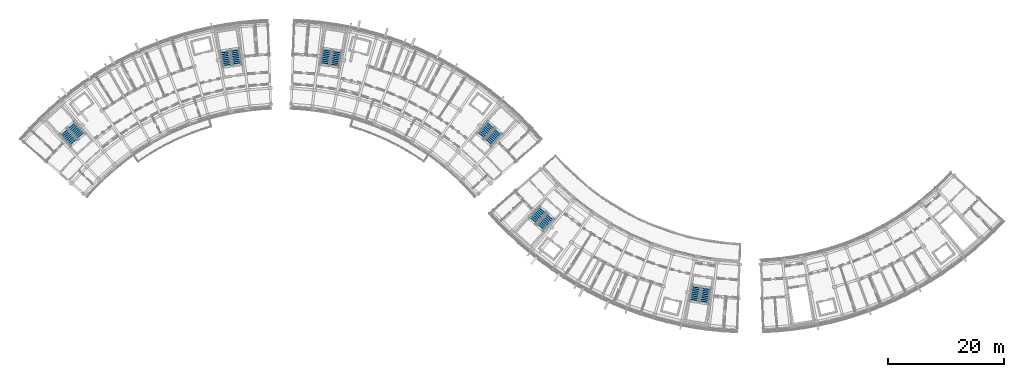
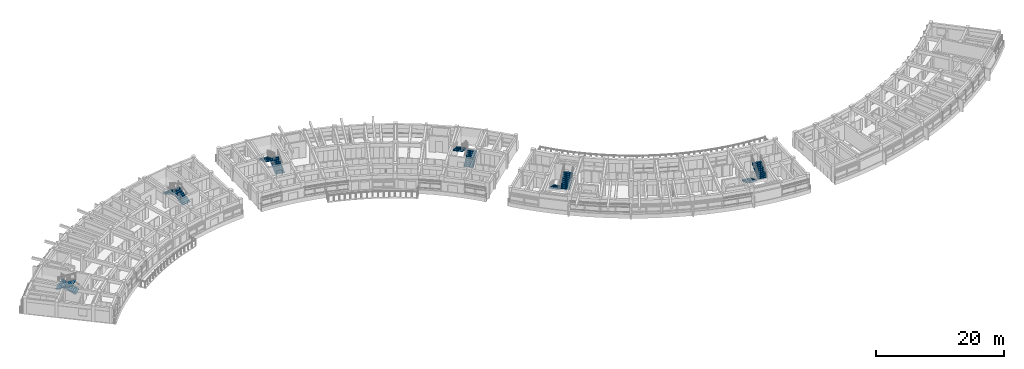
# One storey, part 40 of 54: 12 stair flights, 6 elements without a shape of their own.
"""IFC4 building model written with IfcOpenShell, lengths in metres."""

from ifc_helpers import new_model, si_unit, direction, frame, origin, place, context, subcontext, project, spatial, polyline, outline, extrude, material, type_object, element, aggregate, save


model = new_model("IFC4")

# Units and contexts
model_context = context("Model", 3, precision=1e-05, world=origin(), true_north=direction((0.0, 1.0)))
body_context = subcontext(model_context, "Body", "Model", "MODEL_VIEW")
ifc_project = project(units=[si_unit("LENGTHUNIT", "METRE"), si_unit("AREAUNIT", "SQUARE_METRE"), si_unit("VOLUMEUNIT", "CUBIC_METRE"), si_unit("PLANEANGLEUNIT", "RADIAN"), si_unit("MASSUNIT", "GRAM", prefix="KILO")], contexts=[model_context])

# Site, building, storey
site_placement = place(None, origin())
site = spatial("IfcSite", under=ifc_project, at=site_placement, CompositionType="ELEMENT")
building_placement = place(site_placement, origin())
building = spatial("IfcBuilding", under=site, at=building_placement, Name="Zimvara Arc Housing Community", CompositionType="ELEMENT")
storey_placement = place(building_placement, frame((0.0, 0.0, 23.60009765625)))
storey = spatial("IfcBuildingStorey", under=building, at=storey_placement, Name="L07", CompositionType="ELEMENT", Elevation=23.60009765625)

# Stair, stair flights
ifc_material_1 = material(Name="Concrete C35/45", Category="concrete")
stair_type_1 = type_object("IfcStairType", Name="STR-DL-310-310", PredefinedType="HALF_TURN_STAIR", material=ifc_material_1)
stair_1_placement = place(storey_placement, origin())
stair_1 = element("IfcStair", 1, at=stair_1_placement, inside=storey, type_object=stair_type_1, Name="L07 Block C Exit Stair 2", PredefinedType="HALF_TURN_STAIR")
ifc_material_2 = material(Name="Concrete C35/45", Category="concrete")
stair_flight_type_1 = type_object("IfcStairFlightType", Name="STF-DL-310-310", PredefinedType="STRAIGHT", material=ifc_material_2)
stair_flight_1_placement = place(storey_placement, frame((116.7353515625, 58.27490234375, 0.0), z_axis=(0.0, 0.0, 1.0), x_axis=(-0.160225753504, -0.987080395872, 0.0)))
stair_flight_1 = element("IfcStairFlight", 2, at=stair_flight_1_placement, type_object=stair_flight_type_1, Name="ST-C2 flight 1", NumberOfRisers=10, NumberOfTreads=9, PredefinedType="STRAIGHT", RiserHeight=0.155, TreadLength=0.31, context=body_context, shape_type="SweptSolid", body=[
    extrude(outline(polyline([(0.0, 0.0), (0.0, 0.155029296875), (0.31005859375, 0.155029296875), (0.31005859375, 0.31005859375), (0.6201171875, 0.31005859375), (0.6201171875, 0.465087890625), (0.929931640625, 0.465087890625), (0.929931640625, 0.6201171875), (1.239990234375, 0.6201171875), (1.239990234375, 0.77490234375), (1.550048828125, 0.77490234375), (1.550048828125, 0.929931640625), (1.860107421875, 0.929931640625), (1.860107421875, 1.0849609375), (2.169921875, 1.0849609375), (2.169921875, 1.239990234375), (2.47998046875, 1.239990234375), (2.47998046875, 1.39501953125), (2.7900390625, 1.39501953125), (2.7900390625, 1.550048828125), (2.7900390625, 1.227294921875), (0.335205078125, 0.0), (0.0, 0.0)])), frame((0.0, 0.780029296875, 0.0), z_axis=(0.0, -1.0, 0.0), x_axis=(1.0, 0.0, 0.0)), (0.0, 0.0, 1.0), 1.56005859375),
])
stair_flight_2_placement = place(storey_placement, frame((117.986083984375, 55.2451171875, 1.5498046875), z_axis=(0.0, 0.0, 1.0), x_axis=(0.160225753504, 0.987080395872, 0.0)))
stair_flight_2 = element("IfcStairFlight", 3, at=stair_flight_2_placement, type_object=stair_flight_type_1, Name="ST-C2 flight 2", NumberOfRisers=10, NumberOfTreads=9, PredefinedType="STRAIGHT", RiserHeight=0.155, TreadLength=0.31, context=body_context, shape_type="SweptSolid", body=[
    extrude(outline(polyline([(0.0, 0.0), (0.0, 0.155029296875), (0.31005859375, 0.155029296875), (0.31005859375, 0.31005859375), (0.6201171875, 0.31005859375), (0.6201171875, 0.465087890625), (0.929931640625, 0.465087890625), (0.929931640625, 0.6201171875), (1.239990234375, 0.6201171875), (1.239990234375, 0.77490234375), (1.550048828125, 0.77490234375), (1.550048828125, 0.929931640625), (1.860107421875, 0.929931640625), (1.860107421875, 1.0849609375), (2.169921875, 1.0849609375), (2.169921875, 1.239990234375), (2.47998046875, 1.239990234375), (2.47998046875, 1.39501953125), (2.7900390625, 1.39501953125), (2.7900390625, 1.550048828125), (2.7900390625, 1.227294921875), (0.335205078125, 0.0), (0.0, 0.0)])), frame((0.0, 0.780029296875, 0.0), z_axis=(0.0, -1.0, 0.0), x_axis=(1.0, 0.0, 0.0)), (0.0, 0.0, 1.0), 1.56005859375),
])
aggregate(stair_1, [stair_flight_1, stair_flight_2])

ifc_material_3 = material(Name="Concrete C35/45", Category="concrete")
stair_type_2 = type_object("IfcStairType", Name="STR-DL-312-310", PredefinedType="HALF_TURN_STAIR", material=ifc_material_3)
stair_2_placement = place(storey_placement, origin())
stair_2 = element("IfcStair", 4, at=stair_2_placement, inside=storey, type_object=stair_type_2, Name="L07 Block A Exit Stair 1", PredefinedType="HALF_TURN_STAIR")
ifc_material_4 = material(Name="Concrete C35/45", Category="concrete")
stair_flight_type_2 = type_object("IfcStairFlightType", Name="STF-DL-312-310", PredefinedType="STRAIGHT", material=ifc_material_4)
stair_flight_3_placement = place(storey_placement, frame((10.590576171875, 84.0283203125, 0.0), z_axis=(0.0, 0.0, 1.0), x_axis=(-0.668871159118, 0.743378350842, 0.0)))
stair_flight_3 = element("IfcStairFlight", 5, at=stair_flight_3_placement, type_object=stair_flight_type_2, Name="ST-A1 flight 1", NumberOfRisers=10, NumberOfTreads=9, PredefinedType="STRAIGHT", RiserHeight=0.155, TreadLength=0.312, context=body_context, shape_type="SweptSolid", body=[
    extrude(outline(polyline([(0.0, 0.0), (0.0, 0.155029296875), (0.31201171875, 0.155029296875), (0.31201171875, 0.31005859375), (0.6240234375, 0.31005859375), (0.6240234375, 0.465087890625), (0.93603515625, 0.465087890625), (0.93603515625, 0.6201171875), (1.248046875, 0.6201171875), (1.248046875, 0.77490234375), (1.56005859375, 0.77490234375), (1.56005859375, 0.929931640625), (1.8720703125, 0.929931640625), (1.8720703125, 1.0849609375), (2.18408203125, 1.0849609375), (2.18408203125, 1.239990234375), (2.49609375, 1.239990234375), (2.49609375, 1.39501953125), (2.80810546875, 1.39501953125), (2.80810546875, 1.550048828125), (2.80810546875, 1.2275390625), (0.3369140625, 0.0), (0.0, 0.0)])), frame((0.0, 0.780029296875, 0.0), z_axis=(0.0, -1.0, 0.0), x_axis=(1.0, 0.0, 0.0)), (0.0, 0.0, 1.0), 1.56005859375),
])
stair_flight_4_placement = place(storey_placement, frame((7.43359375, 84.965087890625, 1.5498046875), z_axis=(0.0, 0.0, 1.0), x_axis=(0.668871159118, -0.743378350842, 0.0)))
stair_flight_4 = element("IfcStairFlight", 6, at=stair_flight_4_placement, type_object=stair_flight_type_2, Name="ST-A1 flight 2", NumberOfRisers=10, NumberOfTreads=9, PredefinedType="STRAIGHT", RiserHeight=0.155, TreadLength=0.312, context=body_context, shape_type="SweptSolid", body=[
    extrude(outline(polyline([(0.0, 0.0), (0.0, 0.155029296875), (0.31201171875, 0.155029296875), (0.31201171875, 0.31005859375), (0.6240234375, 0.31005859375), (0.6240234375, 0.465087890625), (0.93603515625, 0.465087890625), (0.93603515625, 0.6201171875), (1.248046875, 0.6201171875), (1.248046875, 0.77490234375), (1.56005859375, 0.77490234375), (1.56005859375, 0.929931640625), (1.8720703125, 0.929931640625), (1.8720703125, 1.0849609375), (2.18408203125, 1.0849609375), (2.18408203125, 1.239990234375), (2.49609375, 1.239990234375), (2.49609375, 1.39501953125), (2.80810546875, 1.39501953125), (2.80810546875, 1.550048828125), (2.80810546875, 1.2275390625), (0.3369140625, 0.0), (0.0, 0.0)])), frame((0.0, 0.780029296875, 0.0), z_axis=(0.0, -1.0, 0.0), x_axis=(1.0, 0.0, 0.0)), (0.0, 0.0, 1.0), 1.56005859375),
])
aggregate(stair_2, [stair_flight_3, stair_flight_4])

ifc_material_5 = material(Name="Concrete C35/45", Category="concrete")
stair_type_3 = type_object("IfcStairType", Name="STR-DL-315-310", PredefinedType="HALF_TURN_STAIR", material=ifc_material_5)
stair_3_placement = place(storey_placement, origin())
stair_3 = element("IfcStair", 7, at=stair_3_placement, inside=storey, type_object=stair_type_3, Name="L07 Block A Exit Stair 2", PredefinedType="HALF_TURN_STAIR")
ifc_material_6 = material(Name="Concrete C35/45", Category="concrete")
stair_flight_type_3 = type_object("IfcStairFlightType", Name="STF-DL-315-310", PredefinedType="STRAIGHT", material=ifc_material_6)
stair_flight_5_placement = place(storey_placement, frame((37.453125, 96.36083984375, 0.0), z_axis=(0.0, 0.0, 1.0), x_axis=(-0.160225753504, 0.987080395872, 0.0)))
stair_flight_5 = element("IfcStairFlight", 8, at=stair_flight_5_placement, type_object=stair_flight_type_3, Name="ST-A2 flight 1", NumberOfRisers=10, NumberOfTreads=9, PredefinedType="STRAIGHT", RiserHeight=0.155, TreadLength=0.315, context=body_context, shape_type="SweptSolid", body=[
    extrude(outline(polyline([(0.0, 0.0), (0.0, 0.155029296875), (0.31494140625, 0.155029296875), (0.31494140625, 0.31005859375), (0.6298828125, 0.31005859375), (0.6298828125, 0.465087890625), (0.945068359375, 0.465087890625), (0.945068359375, 0.6201171875), (1.260009765625, 0.6201171875), (1.260009765625, 0.77490234375), (1.574951171875, 0.77490234375), (1.574951171875, 0.929931640625), (1.889892578125, 0.929931640625), (1.889892578125, 1.0849609375), (2.205078125, 1.0849609375), (2.205078125, 1.239990234375), (2.52001953125, 1.239990234375), (2.52001953125, 1.39501953125), (2.8349609375, 1.39501953125), (2.8349609375, 1.550048828125), (2.8349609375, 1.22802734375), (0.339599609375, 0.0), (0.0, 0.0)])), frame((0.0, 0.780029296875, 0.0), z_axis=(0.0, -1.0, 0.0), x_axis=(1.0, 0.0, 0.0)), (0.0, 0.0, 1.0), 1.56005859375),
])
stair_flight_6_placement = place(storey_placement, frame((35.301025390625, 98.883544921875, 1.5498046875), z_axis=(0.0, 0.0, 1.0), x_axis=(0.160225753504, -0.987080395872, 0.0)))
stair_flight_6 = element("IfcStairFlight", 9, at=stair_flight_6_placement, type_object=stair_flight_type_3, Name="ST-A2 flight 2", NumberOfRisers=10, NumberOfTreads=9, PredefinedType="STRAIGHT", RiserHeight=0.155, TreadLength=0.315, context=body_context, shape_type="SweptSolid", body=[
    extrude(outline(polyline([(0.0, 0.0), (0.0, 0.155029296875), (0.31494140625, 0.155029296875), (0.31494140625, 0.31005859375), (0.6298828125, 0.31005859375), (0.6298828125, 0.465087890625), (0.945068359375, 0.465087890625), (0.945068359375, 0.6201171875), (1.260009765625, 0.6201171875), (1.260009765625, 0.77490234375), (1.574951171875, 0.77490234375), (1.574951171875, 0.929931640625), (1.889892578125, 0.929931640625), (1.889892578125, 1.0849609375), (2.205078125, 1.0849609375), (2.205078125, 1.239990234375), (2.52001953125, 1.239990234375), (2.52001953125, 1.39501953125), (2.8349609375, 1.39501953125), (2.8349609375, 1.550048828125), (2.8349609375, 1.22802734375), (0.339599609375, 0.0), (0.0, 0.0)])), frame((0.0, 0.780029296875, 0.0), z_axis=(0.0, -1.0, 0.0), x_axis=(1.0, 0.0, 0.0)), (0.0, 0.0, 1.0), 1.56005859375),
])
aggregate(stair_3, [stair_flight_5, stair_flight_6])

stair_4_placement = place(storey_placement, origin())
stair_4 = element("IfcStair", 10, at=stair_4_placement, inside=storey, type_object=stair_type_3, Name="L07 Block B Exit Stair 1", PredefinedType="HALF_TURN_STAIR")
stair_flight_7_placement = place(storey_placement, frame((54.24462890625, 96.085205078125, 0.0), z_axis=(0.0, 0.0, 1.0), x_axis=(0.160225753504, 0.987080395872, 0.0)))
stair_flight_7 = element("IfcStairFlight", 11, at=stair_flight_7_placement, type_object=stair_flight_type_3, Name="ST-B1 flight 1", NumberOfRisers=10, NumberOfTreads=9, PredefinedType="STRAIGHT", RiserHeight=0.155, TreadLength=0.315, context=body_context, shape_type="SweptSolid", body=[
    extrude(outline(polyline([(0.0, 0.0), (0.0, 0.155029296875), (0.31494140625, 0.155029296875), (0.31494140625, 0.31005859375), (0.6298828125, 0.31005859375), (0.6298828125, 0.465087890625), (0.945068359375, 0.465087890625), (0.945068359375, 0.6201171875), (1.260009765625, 0.6201171875), (1.260009765625, 0.77490234375), (1.574951171875, 0.77490234375), (1.574951171875, 0.929931640625), (1.889892578125, 0.929931640625), (1.889892578125, 1.0849609375), (2.205078125, 1.0849609375), (2.205078125, 1.239990234375), (2.52001953125, 1.239990234375), (2.52001953125, 1.39501953125), (2.8349609375, 1.39501953125), (2.8349609375, 1.550048828125), (2.8349609375, 1.22802734375), (0.339599609375, 0.0), (0.0, 0.0)])), frame((0.0, 0.780029296875, 0.0), z_axis=(0.0, -1.0, 0.0), x_axis=(1.0, 0.0, 0.0)), (0.0, 0.0, 1.0), 1.56005859375),
])
stair_flight_8_placement = place(storey_placement, frame((53.001220703125, 99.1591796875, 1.5498046875), z_axis=(0.0, 0.0, 1.0), x_axis=(-0.160225753504, -0.987080395872, 0.0)))
stair_flight_8 = element("IfcStairFlight", 12, at=stair_flight_8_placement, type_object=stair_flight_type_3, Name="ST-B1 flight 2", NumberOfRisers=10, NumberOfTreads=9, PredefinedType="STRAIGHT", RiserHeight=0.155, TreadLength=0.315, context=body_context, shape_type="SweptSolid", body=[
    extrude(outline(polyline([(0.0, 0.0), (0.0, 0.155029296875), (0.31494140625, 0.155029296875), (0.31494140625, 0.31005859375), (0.6298828125, 0.31005859375), (0.6298828125, 0.465087890625), (0.945068359375, 0.465087890625), (0.945068359375, 0.6201171875), (1.260009765625, 0.6201171875), (1.260009765625, 0.77490234375), (1.574951171875, 0.77490234375), (1.574951171875, 0.929931640625), (1.889892578125, 0.929931640625), (1.889892578125, 1.0849609375), (2.205078125, 1.0849609375), (2.205078125, 1.239990234375), (2.52001953125, 1.239990234375), (2.52001953125, 1.39501953125), (2.8349609375, 1.39501953125), (2.8349609375, 1.550048828125), (2.8349609375, 1.22802734375), (0.339599609375, 0.0), (0.0, 0.0)])), frame((0.0, 0.780029296875, 0.0), z_axis=(0.0, -1.0, 0.0), x_axis=(1.0, 0.0, 0.0)), (0.0, 0.0, 1.0), 1.56005859375),
])
aggregate(stair_4, [stair_flight_7, stair_flight_8])

ifc_material_7 = material(Name="Concrete C35/45", Category="concrete")
stair_type_4 = type_object("IfcStairType", Name="STR-DL-318-310", PredefinedType="HALF_TURN_STAIR", material=ifc_material_7)
stair_5_placement = place(storey_placement, origin())
stair_5 = element("IfcStair", 13, at=stair_5_placement, inside=storey, type_object=stair_type_4, Name="L07 Block B Exit Stair 2", PredefinedType="HALF_TURN_STAIR")
ifc_material_8 = material(Name="Concrete C35/45", Category="concrete")
stair_flight_type_4 = type_object("IfcStairFlightType", Name="STF-DL-318-310", PredefinedType="STRAIGHT", material=ifc_material_8)
stair_flight_9_placement = place(storey_placement, frame((80.688232421875, 82.877685546875, 0.0), z_axis=(0.0, 0.0, 1.0), x_axis=(0.668871159118, 0.743378350842, 0.0)))
stair_flight_9 = element("IfcStairFlight", 14, at=stair_flight_9_placement, type_object=stair_flight_type_4, Name="ST-B2 flight 1", NumberOfRisers=10, NumberOfTreads=9, PredefinedType="STRAIGHT", RiserHeight=0.155, TreadLength=0.318, context=body_context, shape_type="SweptSolid", body=[
    extrude(outline(polyline([(0.0, 0.0), (0.0, 0.155029296875), (0.318115234375, 0.155029296875), (0.318115234375, 0.31005859375), (0.635986328125, 0.31005859375), (0.635986328125, 0.465087890625), (0.9541015625, 0.465087890625), (0.9541015625, 0.6201171875), (1.27197265625, 0.6201171875), (1.27197265625, 0.77490234375), (1.590087890625, 0.77490234375), (1.590087890625, 0.929931640625), (1.907958984375, 0.929931640625), (1.907958984375, 1.0849609375), (2.22607421875, 1.0849609375), (2.22607421875, 1.239990234375), (2.5439453125, 1.239990234375), (2.5439453125, 1.39501953125), (2.862060546875, 1.39501953125), (2.862060546875, 1.550048828125), (2.862060546875, 1.228271484375), (0.342041015625, 0.0), (0.0, 0.0)])), frame((0.0, 0.780029296875, 0.0), z_axis=(0.0, -1.0, 0.0), x_axis=(1.0, 0.0, 0.0)), (0.0, 0.0, 1.0), 1.56005859375),
])
stair_flight_10_placement = place(storey_placement, frame((81.323974609375, 86.15576171875, 1.5498046875), z_axis=(0.0, 0.0, 1.0), x_axis=(-0.668871159118, -0.743378350842, 0.0)))
stair_flight_10 = element("IfcStairFlight", 15, at=stair_flight_10_placement, type_object=stair_flight_type_4, Name="ST-B2 flight 2", NumberOfRisers=10, NumberOfTreads=9, PredefinedType="STRAIGHT", RiserHeight=0.155, TreadLength=0.318, context=body_context, shape_type="SweptSolid", body=[
    extrude(outline(polyline([(0.0, 0.0), (0.0, 0.155029296875), (0.318115234375, 0.155029296875), (0.318115234375, 0.31005859375), (0.635986328125, 0.31005859375), (0.635986328125, 0.465087890625), (0.9541015625, 0.465087890625), (0.9541015625, 0.6201171875), (1.27197265625, 0.6201171875), (1.27197265625, 0.77490234375), (1.590087890625, 0.77490234375), (1.590087890625, 0.929931640625), (1.907958984375, 0.929931640625), (1.907958984375, 1.0849609375), (2.22607421875, 1.0849609375), (2.22607421875, 1.239990234375), (2.5439453125, 1.239990234375), (2.5439453125, 1.39501953125), (2.862060546875, 1.39501953125), (2.862060546875, 1.550048828125), (2.862060546875, 1.228271484375), (0.342041015625, 0.0), (0.0, 0.0)])), frame((0.0, 0.780029296875, 0.0), z_axis=(0.0, -1.0, 0.0), x_axis=(1.0, 0.0, 0.0)), (0.0, 0.0, 1.0), 1.56005859375),
])
aggregate(stair_5, [stair_flight_9, stair_flight_10])

stair_6_placement = place(storey_placement, origin())
stair_6 = element("IfcStair", 16, at=stair_6_placement, inside=storey, type_object=stair_type_4, Name="L07 Block C Exit Stair 1", PredefinedType="HALF_TURN_STAIR")
stair_flight_11_placement = place(storey_placement, frame((90.291748046875, 71.482177734375, 0.0), z_axis=(0.0, 0.0, 1.0), x_axis=(-0.668871159118, -0.743378350842, 0.0)))
stair_flight_11 = element("IfcStairFlight", 17, at=stair_flight_11_placement, type_object=stair_flight_type_4, Name="ST-C1 flight 1", NumberOfRisers=10, NumberOfTreads=9, PredefinedType="STRAIGHT", RiserHeight=0.155, TreadLength=0.318, context=body_context, shape_type="SweptSolid", body=[
    extrude(outline(polyline([(0.0, 0.0), (0.0, 0.155029296875), (0.318115234375, 0.155029296875), (0.318115234375, 0.31005859375), (0.635986328125, 0.31005859375), (0.635986328125, 0.465087890625), (0.9541015625, 0.465087890625), (0.9541015625, 0.6201171875), (1.27197265625, 0.6201171875), (1.27197265625, 0.77490234375), (1.590087890625, 0.77490234375), (1.590087890625, 0.929931640625), (1.907958984375, 0.929931640625), (1.907958984375, 1.0849609375), (2.22607421875, 1.0849609375), (2.22607421875, 1.239990234375), (2.5439453125, 1.239990234375), (2.5439453125, 1.39501953125), (2.862060546875, 1.39501953125), (2.862060546875, 1.550048828125), (2.862060546875, 1.228271484375), (0.342041015625, 0.0), (0.0, 0.0)])), frame((0.0, 0.780029296875, 0.0), z_axis=(0.0, -1.0, 0.0), x_axis=(1.0, 0.0, 0.0)), (0.0, 0.0, 1.0), 1.56005859375),
])
stair_flight_12_placement = place(storey_placement, frame((89.65625, 68.2041015625, 1.5498046875), z_axis=(0.0, 0.0, 1.0), x_axis=(0.668871159118, 0.743378350842, 0.0)))
stair_flight_12 = element("IfcStairFlight", 18, at=stair_flight_12_placement, type_object=stair_flight_type_4, Name="ST-C1 flight 2", NumberOfRisers=10, NumberOfTreads=9, PredefinedType="STRAIGHT", RiserHeight=0.155, TreadLength=0.318, context=body_context, shape_type="SweptSolid", body=[
    extrude(outline(polyline([(0.0, 0.0), (0.0, 0.155029296875), (0.318115234375, 0.155029296875), (0.318115234375, 0.31005859375), (0.635986328125, 0.31005859375), (0.635986328125, 0.465087890625), (0.9541015625, 0.465087890625), (0.9541015625, 0.6201171875), (1.27197265625, 0.6201171875), (1.27197265625, 0.77490234375), (1.590087890625, 0.77490234375), (1.590087890625, 0.929931640625), (1.907958984375, 0.929931640625), (1.907958984375, 1.0849609375), (2.22607421875, 1.0849609375), (2.22607421875, 1.239990234375), (2.5439453125, 1.239990234375), (2.5439453125, 1.39501953125), (2.862060546875, 1.39501953125), (2.862060546875, 1.550048828125), (2.862060546875, 1.228271484375), (0.342041015625, 0.0), (0.0, 0.0)])), frame((0.0, 0.780029296875, 0.0), z_axis=(0.0, -1.0, 0.0), x_axis=(1.0, 0.0, 0.0)), (0.0, 0.0, 1.0), 1.56005859375),
])
aggregate(stair_6, [stair_flight_11, stair_flight_12])

save(model, "model.ifc")
